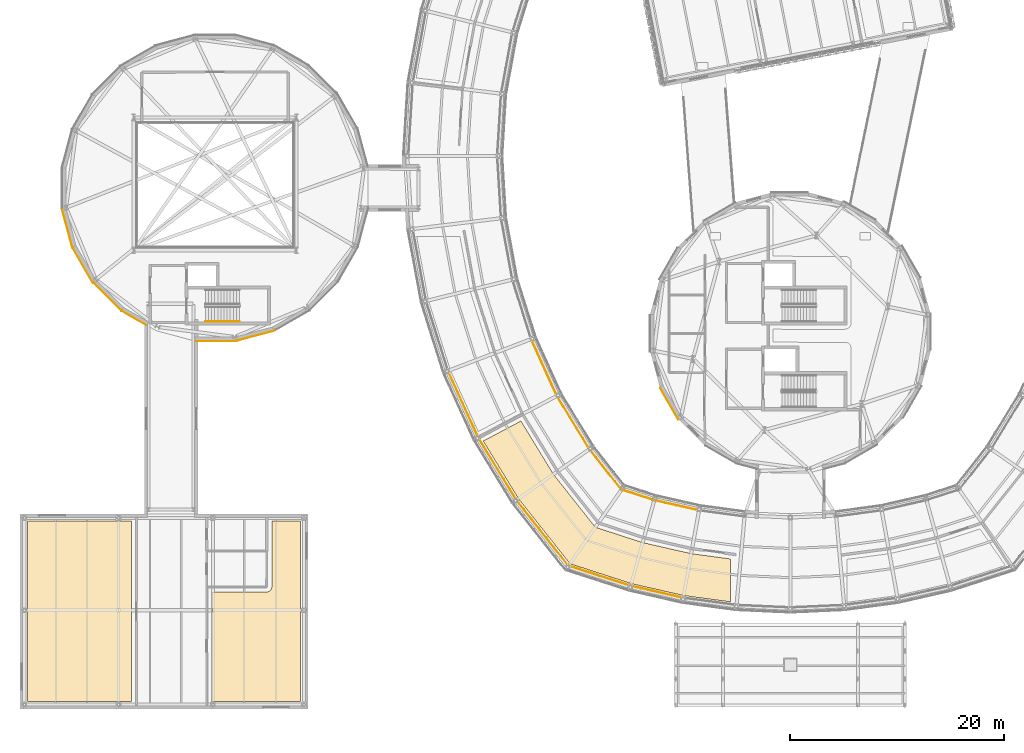
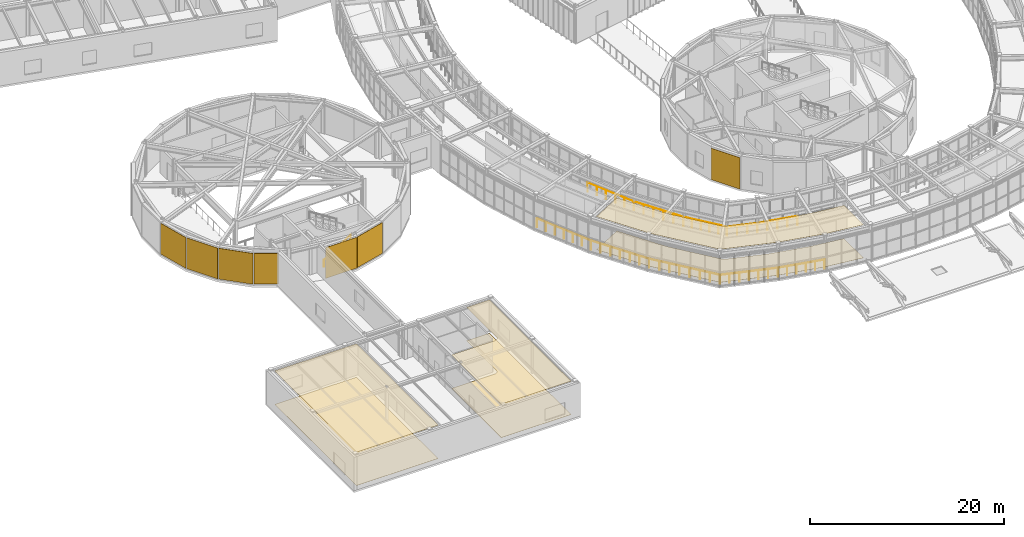
# One storey, part 89 of 103: 13 coverings, 11 railings.
"""IFC4 building model written with IfcOpenShell, lengths in metres."""

from ifc_helpers import new_model, si_unit, direction, frame, origin, origin_2d, place, context, subcontext, project, spatial, polyline, rectangle, circle, outline, extrude, material, layer, layer_set, type_object, element, save


model = new_model("IFC4")

# Units and contexts
model_context = context("Model", 3, precision=1e-05, world=origin(), true_north=direction((0.0, 1.0)))
body_context = subcontext(model_context, "Body", "Model", "MODEL_VIEW")
ifc_project = project(units=[si_unit("LENGTHUNIT", "METRE"), si_unit("AREAUNIT", "SQUARE_METRE"), si_unit("VOLUMEUNIT", "CUBIC_METRE"), si_unit("PLANEANGLEUNIT", "RADIAN"), si_unit("MASSUNIT", "GRAM", prefix="KILO")], contexts=[model_context])

# Site, building, storey
site_placement = place(None, origin())
site = spatial("IfcSite", under=ifc_project, at=site_placement, CompositionType="ELEMENT")
building_placement = place(site_placement, origin())
building = spatial("IfcBuilding", under=site, at=building_placement, Name="Varnklinge Art Gallery", CompositionType="ELEMENT")
storey_placement = place(building_placement, frame((0.0, 0.0, 5.10009765625)))
storey = spatial("IfcBuildingStorey", under=building, at=storey_placement, Name="L01", CompositionType="ELEMENT", Elevation=5.10009765625)

# Railings
ifc_material_1 = material(Name="Anodised Aluminium", Category="aluminium")
railing_type_1 = type_object("IfcRailingType", Name="BAL-01", PredefinedType="BALUSTRADE", material=ifc_material_1)
railing_1_placement = place(storey_placement, frame((43.55712890625, 34.9423828125, 0.0)))
element("IfcRailing", 1, at=railing_1_placement, inside=storey, type_object=railing_type_1, Name="L01 Ring Outer Glazing Guard 30", PredefinedType="BALUSTRADE", context=body_context, shape_type="SweptSolid", body=[
    extrude(circle(Radius=0.02392578125, at=origin_2d()), frame((0.0, 0.0, 1.11572265625), z_axis=(0.413412552712, -0.910543827205, 0.0), x_axis=(0.910543827205, 0.413412552712, 0.0)), (0.0, 0.0, 1.0), 6.832763671875),
    extrude(circle(Radius=0.02099609375, at=origin_2d()), origin(), (0.0, 0.0, 1.0), 1.091796875),
    extrude(circle(Radius=0.02099609375, at=origin_2d()), frame((0.470703125, -1.036865234375, 0.0)), (0.0, 0.0, 1.0), 1.091796875),
    extrude(circle(Radius=0.02099609375, at=origin_2d()), frame((0.941650390625, -2.07373046875, 0.0)), (0.0, 0.0, 1.0), 1.091796875),
    extrude(circle(Radius=0.02099609375, at=origin_2d()), frame((1.412353515625, -3.11083984375, 0.0)), (0.0, 0.0, 1.0), 1.091796875),
    extrude(circle(Radius=0.02099609375, at=origin_2d()), frame((1.883056640625, -4.147705078125, 0.0)), (0.0, 0.0, 1.0), 1.091796875),
    extrude(circle(Radius=0.02099609375, at=origin_2d()), frame((2.35400390625, -5.1845703125, 0.0)), (0.0, 0.0, 1.0), 1.091796875),
    extrude(circle(Radius=0.02099609375, at=origin_2d()), frame((2.82470703125, -6.221435546875, 0.0)), (0.0, 0.0, 1.0), 1.091796875),
])
railing_2_placement = place(storey_placement, frame((51.30517578125, 37.90576171875, 0.0)))
element("IfcRailing", 2, at=railing_2_placement, inside=storey, type_object=railing_type_1, Name="L01 Ring Inner Glazing Guard 30", PredefinedType="BALUSTRADE", context=body_context, shape_type="SweptSolid", body=[
    extrude(circle(Radius=0.02392578125, at=origin_2d()), frame((0.0, 0.0, 1.11572265625), z_axis=(0.413392255251, -0.910553042551, 0.0), x_axis=(0.910553042551, 0.413392255251, 0.0)), (0.0, 0.0, 1.0), 5.822998046875),
    extrude(circle(Radius=0.02099609375, at=origin_2d()), origin(), (0.0, 0.0, 1.0), 1.091796875),
    extrude(circle(Radius=0.02099609375, at=origin_2d()), frame((0.4814453125, -1.060546875, 0.0)), (0.0, 0.0, 1.0), 1.091796875),
    extrude(circle(Radius=0.02099609375, at=origin_2d()), frame((0.962890625, -2.120849609375, 0.0)), (0.0, 0.0, 1.0), 1.091796875),
    extrude(circle(Radius=0.02099609375, at=origin_2d()), frame((1.4443359375, -3.181396484375, 0.0)), (0.0, 0.0, 1.0), 1.091796875),
    extrude(circle(Radius=0.02099609375, at=origin_2d()), frame((1.92578125, -4.24169921875, 0.0)), (0.0, 0.0, 1.0), 1.091796875),
    extrude(circle(Radius=0.02099609375, at=origin_2d()), frame((2.4072265625, -5.30224609375, 0.0)), (0.0, 0.0, 1.0), 1.091796875),
])
railing_3_placement = place(storey_placement, frame((46.3818359375, 28.720947265625, 0.0)))
element("IfcRailing", 3, at=railing_3_placement, inside=storey, type_object=railing_type_1, Name="L01 Ring Outer Glazing Guard 31", PredefinedType="BALUSTRADE", context=body_context, shape_type="SweptSolid", body=[
    extrude(circle(Radius=0.02392578125, at=origin_2d()), frame((0.0, 0.0, 1.11572265625), z_axis=(0.520933930846, -0.853597000753, 0.0), x_axis=(0.853597000753, 0.520933930846, 0.0)), (0.0, 0.0, 1.0), 6.83251953125),
    extrude(circle(Radius=0.02099609375, at=origin_2d()), origin(), (0.0, 0.0, 1.0), 1.091796875),
    extrude(circle(Radius=0.02099609375, at=origin_2d()), frame((0.59326171875, -0.97216796875, 0.0)), (0.0, 0.0, 1.0), 1.091796875),
    extrude(circle(Radius=0.02099609375, at=origin_2d()), frame((1.1865234375, -1.944091796875, 0.0)), (0.0, 0.0, 1.0), 1.091796875),
    extrude(circle(Radius=0.02099609375, at=origin_2d()), frame((1.77978515625, -2.916015625, 0.0)), (0.0, 0.0, 1.0), 1.091796875),
    extrude(circle(Radius=0.02099609375, at=origin_2d()), frame((2.372802734375, -3.88818359375, 0.0)), (0.0, 0.0, 1.0), 1.091796875),
    extrude(circle(Radius=0.02099609375, at=origin_2d()), frame((2.966064453125, -4.8603515625, 0.0)), (0.0, 0.0, 1.0), 1.091796875),
    extrude(circle(Radius=0.02099609375, at=origin_2d()), frame((3.559326171875, -5.832275390625, 0.0)), (0.0, 0.0, 1.0), 1.091796875),
])
railing_4_placement = place(storey_placement, frame((53.71240234375, 32.603515625, 0.0)))
element("IfcRailing", 4, at=railing_4_placement, inside=storey, type_object=railing_type_1, Name="L01 Ring Inner Glazing Guard 31", PredefinedType="BALUSTRADE", context=body_context, shape_type="SweptSolid", body=[
    extrude(circle(Radius=0.02392578125, at=origin_2d()), frame((0.0, 0.0, 1.11572265625), z_axis=(0.520954740627, -0.853584300593, 0.0), x_axis=(0.853584300593, 0.520954740627, 0.0)), (0.0, 0.0, 1.0), 5.8232421875),
    extrude(circle(Radius=0.02099609375, at=origin_2d()), origin(), (0.0, 0.0, 1.0), 1.091796875),
    extrude(circle(Radius=0.02099609375, at=origin_2d()), frame((0.606689453125, -0.994140625, 0.0)), (0.0, 0.0, 1.0), 1.091796875),
    extrude(circle(Radius=0.02099609375, at=origin_2d()), frame((1.21337890625, -1.98828125, 0.0)), (0.0, 0.0, 1.0), 1.091796875),
    extrude(circle(Radius=0.02099609375, at=origin_2d()), frame((1.8203125, -2.982421875, 0.0)), (0.0, 0.0, 1.0), 1.091796875),
    extrude(circle(Radius=0.02099609375, at=origin_2d()), frame((2.427001953125, -3.9765625, 0.0)), (0.0, 0.0, 1.0), 1.091796875),
    extrude(circle(Radius=0.02099609375, at=origin_2d()), frame((3.03369140625, -4.970703125, 0.0)), (0.0, 0.0, 1.0), 1.091796875),
])
railing_5_placement = place(storey_placement, frame((49.941162109375, 22.888671875, 0.0)))
element("IfcRailing", 5, at=railing_5_placement, inside=storey, type_object=railing_type_1, Name="L01 Ring Outer Glazing Guard 32", PredefinedType="BALUSTRADE", context=body_context, shape_type="SweptSolid", body=[
    extrude(circle(Radius=0.02392578125, at=origin_2d()), frame((0.0, 0.0, 1.11572265625), z_axis=(0.620768404491, -0.783993997417, 0.0), x_axis=(0.783993997417, 0.620768404491, 0.0)), (0.0, 0.0, 1.0), 7.8330078125),
    extrude(circle(Radius=0.02099609375, at=origin_2d()), origin(), (0.0, 0.0, 1.0), 1.091796875),
    extrude(circle(Radius=0.02099609375, at=origin_2d()), frame((0.694580078125, -0.877197265625, 0.0)), (0.0, 0.0, 1.0), 1.091796875),
    extrude(circle(Radius=0.02099609375, at=origin_2d()), frame((1.389404296875, -1.754638671875, 0.0)), (0.0, 0.0, 1.0), 1.091796875),
    extrude(circle(Radius=0.02099609375, at=origin_2d()), frame((2.083984375, -2.6318359375, 0.0)), (0.0, 0.0, 1.0), 1.091796875),
    extrude(circle(Radius=0.02099609375, at=origin_2d()), frame((2.778564453125, -3.50927734375, 0.0)), (0.0, 0.0, 1.0), 1.091796875),
    extrude(circle(Radius=0.02099609375, at=origin_2d()), frame((3.47314453125, -4.386474609375, 0.0)), (0.0, 0.0, 1.0), 1.091796875),
    extrude(circle(Radius=0.02099609375, at=origin_2d()), frame((4.16796875, -5.263916015625, 0.0)), (0.0, 0.0, 1.0), 1.091796875),
    extrude(circle(Radius=0.02099609375, at=origin_2d()), frame((4.862548828125, -6.14111328125, 0.0)), (0.0, 0.0, 1.0), 1.091796875),
])
railing_6_placement = place(storey_placement, frame((56.74609375, 27.6328125, 0.0)))
element("IfcRailing", 6, at=railing_6_placement, inside=storey, type_object=railing_type_1, Name="L01 Ring Inner Glazing Guard 32", PredefinedType="BALUSTRADE", context=body_context, shape_type="SweptSolid", body=[
    extrude(circle(Radius=0.02392578125, at=origin_2d()), frame((0.0, 0.0, 1.11572265625), z_axis=(0.620748326403, -0.784009894879, 0.0), x_axis=(0.784009894879, 0.620748326403, 0.0)), (0.0, 0.0, 1.0), 4.82275390625),
    extrude(circle(Radius=0.02099609375, at=origin_2d()), origin(), (0.0, 0.0, 1.0), 1.091796875),
    extrude(circle(Radius=0.02099609375, at=origin_2d()), frame((0.5986328125, -0.756103515625, 0.0)), (0.0, 0.0, 1.0), 1.091796875),
    extrude(circle(Radius=0.02099609375, at=origin_2d()), frame((1.197509765625, -1.512451171875, 0.0)), (0.0, 0.0, 1.0), 1.091796875),
    extrude(circle(Radius=0.02099609375, at=origin_2d()), frame((1.796142578125, -2.2685546875, 0.0)), (0.0, 0.0, 1.0), 1.091796875),
    extrude(circle(Radius=0.02099609375, at=origin_2d()), frame((2.39501953125, -3.02490234375, 0.0)), (0.0, 0.0, 1.0), 1.091796875),
    extrude(circle(Radius=0.02099609375, at=origin_2d()), frame((2.99365234375, -3.781005859375, 0.0)), (0.0, 0.0, 1.0), 1.091796875),
])
railing_7_placement = place(storey_placement, frame((54.8037109375, 16.74755859375, 0.0)))
element("IfcRailing", 7, at=railing_7_placement, inside=storey, type_object=railing_type_1, Name="L01 Ring Outer Glazing Guard 33", PredefinedType="BALUSTRADE", context=body_context, shape_type="SweptSolid", body=[
    extrude(circle(Radius=0.02392578125, at=origin_2d()), frame((0.0, 0.0, 1.11572265625), z_axis=(0.951286996802, -0.308306746141, 0.0), x_axis=(0.308306746141, 0.951286996802, 0.0)), (0.0, 0.0, 1.0), 6.0927734375),
    extrude(circle(Radius=0.02099609375, at=origin_2d()), origin(), (0.0, 0.0, 1.0), 1.091796875),
    extrude(circle(Radius=0.02099609375, at=origin_2d()), frame((0.966064453125, -0.31298828125, 0.0)), (0.0, 0.0, 1.0), 1.091796875),
    extrude(circle(Radius=0.02099609375, at=origin_2d()), frame((1.931884765625, -0.626220703125, 0.0)), (0.0, 0.0, 1.0), 1.091796875),
    extrude(circle(Radius=0.02099609375, at=origin_2d()), frame((2.89794921875, -0.939208984375, 0.0)), (0.0, 0.0, 1.0), 1.091796875),
    extrude(circle(Radius=0.02099609375, at=origin_2d()), frame((3.864013671875, -1.252197265625, 0.0)), (0.0, 0.0, 1.0), 1.091796875),
    extrude(circle(Radius=0.02099609375, at=origin_2d()), frame((4.829833984375, -1.5654296875, 0.0)), (0.0, 0.0, 1.0), 1.091796875),
    extrude(circle(Radius=0.02099609375, at=origin_2d()), frame((5.7958984375, -1.87841796875, 0.0)), (0.0, 0.0, 1.0), 1.091796875),
])
railing_8_placement = place(storey_placement, frame((59.73974609375, 23.851806640625, 0.0)))
element("IfcRailing", 8, at=railing_8_placement, inside=storey, type_object=railing_type_1, Name="L01 Ring Inner Glazing Guard 33", PredefinedType="BALUSTRADE", context=body_context, shape_type="SweptSolid", body=[
    extrude(circle(Radius=0.02392578125, at=origin_2d()), frame((0.0, 0.0, 1.11572265625), z_axis=(0.951299251232, -0.308268932274, 0.0), x_axis=(0.308268932274, 0.951299251232, 0.0)), (0.0, 0.0, 1.0), 3.21630859375),
    extrude(circle(Radius=0.02099609375, at=origin_2d()), origin(), (0.0, 0.0, 1.0), 1.091796875),
    extrude(circle(Radius=0.02099609375, at=origin_2d()), frame((1.019775390625, -0.33056640625, 0.0)), (0.0, 0.0, 1.0), 1.091796875),
    extrude(circle(Radius=0.02099609375, at=origin_2d()), frame((2.039794921875, -0.660888671875, 0.0)), (0.0, 0.0, 1.0), 1.091796875),
    extrude(circle(Radius=0.02099609375, at=origin_2d()), frame((3.0595703125, -0.991455078125, 0.0)), (0.0, 0.0, 1.0), 1.091796875),
])
railing_9_placement = place(storey_placement, frame((60.599609375, 14.869140625, 0.0)))
element("IfcRailing", 9, at=railing_9_placement, inside=storey, type_object=railing_type_1, Name="L01 Ring Outer Glazing Guard 34", PredefinedType="BALUSTRADE", context=body_context, shape_type="SweptSolid", body=[
    extrude(circle(Radius=0.02392578125, at=origin_2d()), frame((0.0, 0.0, 1.11572265625), z_axis=(0.975052616387, -0.221973861698, 0.0), x_axis=(0.221973861698, 0.975052616387, 0.0)), (0.0, 0.0, 1.0), 5.025390625),
    extrude(circle(Radius=0.02099609375, at=origin_2d()), origin(), (0.0, 0.0, 1.0), 1.091796875),
    extrude(circle(Radius=0.02099609375, at=origin_2d()), frame((0.97998046875, -0.22314453125, 0.0)), (0.0, 0.0, 1.0), 1.091796875),
    extrude(circle(Radius=0.02099609375, at=origin_2d()), frame((1.9599609375, -0.4462890625, 0.0)), (0.0, 0.0, 1.0), 1.091796875),
    extrude(circle(Radius=0.02099609375, at=origin_2d()), frame((2.93994140625, -0.669189453125, 0.0)), (0.0, 0.0, 1.0), 1.091796875),
    extrude(circle(Radius=0.02099609375, at=origin_2d()), frame((3.919921875, -0.892333984375, 0.0)), (0.0, 0.0, 1.0), 1.091796875),
    extrude(circle(Radius=0.02099609375, at=origin_2d()), frame((4.89990234375, -1.115478515625, 0.0)), (0.0, 0.0, 1.0), 1.091796875),
])
railing_10_placement = place(storey_placement, frame((62.79931640625, 22.8603515625, 0.0)))
element("IfcRailing", 10, at=railing_10_placement, inside=storey, type_object=railing_type_1, Name="L01 Ring Inner Glazing Guard 34", PredefinedType="BALUSTRADE", context=body_context, shape_type="SweptSolid", body=[
    extrude(circle(Radius=0.02392578125, at=origin_2d()), frame((0.0, 0.0, 1.11572265625), z_axis=(0.975045997927, -0.222002932246, 0.0), x_axis=(0.222002932246, 0.975045997927, 0.0)), (0.0, 0.0, 1.0), 4.283447265625),
    extrude(circle(Radius=0.02099609375, at=origin_2d()), origin(), (0.0, 0.0, 1.0), 1.091796875),
    extrude(circle(Radius=0.02099609375, at=origin_2d()), frame((1.044189453125, -0.23779296875, 0.0)), (0.0, 0.0, 1.0), 1.091796875),
    extrude(circle(Radius=0.02099609375, at=origin_2d()), frame((2.08837890625, -0.4755859375, 0.0)), (0.0, 0.0, 1.0), 1.091796875),
    extrude(circle(Radius=0.02099609375, at=origin_2d()), frame((3.13232421875, -0.713134765625, 0.0)), (0.0, 0.0, 1.0), 1.091796875),
    extrude(circle(Radius=0.02099609375, at=origin_2d()), frame((4.176513671875, -0.950927734375, 0.0)), (0.0, 0.0, 1.0), 1.091796875),
])

# Coverings
ifc_material_2 = material(Name="Oxide Terracotta Panel", Category="masonry")
ifc_layer_1 = layer(ifc_material_2, 0.034912109375)
ifc_layer_set_1 = layer_set([ifc_layer_1], Name="Oxide Terracotta Panel")
covering_type_1 = type_object("IfcCoveringType", Name="CLD-TER", PredefinedType="CLADDING", material=ifc_layer_set_1)
covering_1_placement = place(storey_placement, frame((25.586669921875, 38.216064453125, 0.14990234375), z_axis=(0.0, 0.0, 1.0), x_axis=(-0.965925826289, -0.258819045103, 0.0)))
element("IfcCovering", 11, at=covering_1_placement, inside=storey, type_object=covering_type_1, Name="L01 Oxide Terracotta Drum Cladding EW-V3-L01-05", PredefinedType="CLADDING", context=body_context, shape_type="SweptSolid", body=[
    extrude(rectangle(XDim=3.691650390625, YDim=0.034912109375, at=origin_2d()), origin(), (0.0, 0.0, 1.0), 3.8701171875),
])
covering_2_placement = place(storey_placement, frame((21.889892578125, 37.705810546875, 0.14990234375), z_axis=(0.0, 0.0, 1.0), x_axis=(-1.0, 0.0, 0.0)))
element("IfcCovering", 12, at=covering_2_placement, inside=storey, type_object=covering_type_1, Name="L01 Oxide Terracotta Drum Cladding EW-V3-L01-06", PredefinedType="CLADDING", context=body_context, shape_type="SweptSolid", body=[
    extrude(rectangle(XDim=3.69189453125, YDim=0.034912109375, at=origin_2d()), origin(), (0.0, 0.0, 1.0), 3.8701171875),
])
covering_3_placement = place(storey_placement, frame((14.2333984375, 39.86279296875, 0.14990234375), z_axis=(0.0, 0.0, 1.0), x_axis=(-0.866025403784, 0.5, 0.0)))
element("IfcCovering", 13, at=covering_3_placement, inside=storey, type_object=covering_type_1, Name="L01 Oxide Terracotta Drum Cladding EW-V3-L01-07", PredefinedType="CLADDING", context=body_context, shape_type="SweptSolid", body=[
    extrude(rectangle(XDim=2.543212890625, YDim=0.034912109375, at=origin_2d()), origin(), (0.0, 0.0, 1.0), 3.8701171875),
])
covering_4_placement = place(storey_placement, frame((11.756103515625, 41.82861328125, 0.14990234375), z_axis=(0.0, 0.0, 1.0), x_axis=(-0.707106781187, 0.707106781187, 0.0)))
element("IfcCovering", 14, at=covering_4_placement, inside=storey, type_object=covering_type_1, Name="L01 Oxide Terracotta Drum Cladding EW-V3-L01-08", PredefinedType="CLADDING", context=body_context, shape_type="SweptSolid", body=[
    extrude(rectangle(XDim=3.691650390625, YDim=0.034912109375, at=origin_2d()), origin(), (0.0, 0.0, 1.0), 3.8701171875),
])
covering_5_placement = place(storey_placement, frame((9.4658203125, 44.77490234375, 0.14990234375), z_axis=(0.0, 0.0, 1.0), x_axis=(-0.5, 0.866025403784, 0.0)))
element("IfcCovering", 15, at=covering_5_placement, inside=storey, type_object=covering_type_1, Name="L01 Oxide Terracotta Drum Cladding EW-V3-L01-09", PredefinedType="CLADDING", context=body_context, shape_type="SweptSolid", body=[
    extrude(rectangle(XDim=3.69189453125, YDim=0.034912109375, at=origin_2d()), origin(), (0.0, 0.0, 1.0), 3.8701171875),
])
covering_6_placement = place(storey_placement, frame((8.01611328125, 48.21337890625, 0.14990234375), z_axis=(0.0, 0.0, 1.0), x_axis=(-0.258819045103, 0.965925826289, 0.0)))
element("IfcCovering", 16, at=covering_6_placement, inside=storey, type_object=covering_type_1, Name="L01 Oxide Terracotta Drum Cladding EW-V3-L01-10", PredefinedType="CLADDING", context=body_context, shape_type="SweptSolid", body=[
    extrude(rectangle(XDim=3.691650390625, YDim=0.034912109375, at=origin_2d()), origin(), (0.0, 0.0, 1.0), 3.8701171875),
])
ifc_material_3 = material(Name="Pre-weathered Zinc", Category="metal")
ifc_layer_2 = layer(ifc_material_3, 0.02490234375)
ifc_layer_set_2 = layer_set([ifc_layer_2], Name="Pre-weathered Zinc")
covering_type_2 = type_object("IfcCoveringType", Name="CLD-ZNC", PredefinedType="CLADDING", material=ifc_layer_set_2)
covering_7_placement = place(storey_placement, frame((64.197998046875, 31.876708984375, 0.041015625), z_axis=(0.0, 0.0, 1.0), x_axis=(-0.5, 0.866025403784, 0.0)))
element("IfcCovering", 17, at=covering_7_placement, inside=storey, type_object=covering_type_2, Name="L01 Brushed Zinc Drum Cladding EW-V4D-L01-10", PredefinedType="CLADDING", context=body_context, shape_type="SweptSolid", body=[
    extrude(rectangle(XDim=3.39111328125, YDim=0.02490234375, at=origin_2d()), origin(), (0.0, 0.0, 1.0), 3.949951171875),
])
ifc_material_4 = material(Name="Acoustic Mineral Tile", Category="mineral")
ifc_layer_3 = layer(ifc_material_4, 0.02490234375)
ifc_layer_set_3 = layer_set([ifc_layer_3], Name="Acoustic Mineral Tile")
covering_type_3 = type_object("IfcCoveringType", Name="CLG-AC", PredefinedType="CEILING", material=ifc_layer_set_3)
covering_8_placement = place(storey_placement, frame((0.0, 0.0, 4.15478515625)))
element("IfcCovering", 18, at=covering_8_placement, inside=storey, type_object=covering_type_3, Name="L01 Acoustic Mineral Ceiling 023", PredefinedType="CEILING", context=body_context, shape_type="SweptSolid", body=[
    extrude(outline(polyline([(54.934814453125, 16.936279296875), (60.657958984375, 15.08154296875), (65.538818359375, 13.970458984375), (69.89990234375, 13.381103515625), (69.89990234375, 17.38916015625), (66.26904296875, 17.8798828125), (66.22509765625, 17.8876953125), (61.735107421875, 18.909912109375), (61.69189453125, 18.921875), (57.44677734375, 20.297607421875), (57.40087890625, 20.31494140625), (57.35693359375, 20.336669921875), (57.3154296875, 20.362548828125), (57.276611328125, 20.392578125), (57.240966796875, 20.426025390625), (57.208740234375, 20.462890625), (53.4052734375, 25.2666015625), (53.370361328125, 25.31640625), (50.35400390625, 30.259033203125), (46.83740234375, 28.396484375), (50.121826171875, 23.0146484375), (54.934814453125, 16.936279296875)])), origin(), (0.0, 0.0, 1.0), 0.025146484375),
])
covering_9_placement = place(storey_placement, frame((0.0, 0.0, 4.19482421875)))
element("IfcCovering", 19, at=covering_9_placement, inside=storey, type_object=covering_type_3, Name="L01 Acoustic Mineral Ceiling 030", PredefinedType="CEILING", context=body_context, shape_type="SweptSolid", body=[
    extrude(outline(polyline([(14.0, 20.919921875), (4.300048828125, 20.919921875), (4.300048828125, 4.080078125), (14.0, 4.080078125), (14.0, 20.919921875)])), origin(), (0.0, 0.0, 1.0), 0.025146484375),
])
covering_10_placement = place(storey_placement, frame((0.0, 0.0, 4.19482421875)))
element("IfcCovering", 20, at=covering_10_placement, inside=storey, type_object=covering_type_3, Name="L01 Acoustic Mineral Ceiling 031", PredefinedType="CEILING", context=body_context, shape_type="SweptSolid", body=[
    extrude(outline(polyline([(21.5, 14.300048828125), (21.5, 4.080078125), (29.800048828125, 4.080078125), (29.800048828125, 20.919921875), (27.10009765625, 20.919921875), (27.10009765625, 14.800048828125), (27.09765625, 14.7509765625), (27.09033203125, 14.702392578125), (27.07861328125, 14.65478515625), (27.06201171875, 14.608642578125), (27.041015625, 14.564208984375), (27.015625, 14.522216796875), (26.986572265625, 14.48291015625), (26.95361328125, 14.4462890625), (26.917236328125, 14.41357421875), (26.877685546875, 14.38427734375), (26.835693359375, 14.35888671875), (26.791259765625, 14.338134765625), (26.7451171875, 14.321533203125), (26.697509765625, 14.3095703125), (26.64892578125, 14.302490234375), (26.60009765625, 14.300048828125), (21.5, 14.300048828125)])), origin(), (0.0, 0.0, 1.0), 0.025146484375),
])
ifc_material_5 = material(Name="Polished Terrazzo Flooring", Category="stone")
ifc_layer_4 = layer(ifc_material_5, 0.02001953125)
ifc_layer_set_4 = layer_set([ifc_layer_4], Name="Polished Terrazzo Flooring")
covering_type_4 = type_object("IfcCoveringType", Name="FLR-STN", PredefinedType="FLOORING", material=ifc_layer_set_4)
covering_11_placement = place(storey_placement, origin())
element("IfcCovering", 21, at=covering_11_placement, inside=storey, type_object=covering_type_4, Name="L01 Gallery Terrazzo Flooring 023", PredefinedType="FLOORING", context=body_context, shape_type="SweptSolid", body=[
    extrude(outline(polyline([(54.934814453125, 16.936279296875), (60.657958984375, 15.08154296875), (65.538818359375, 13.970458984375), (69.89990234375, 13.381103515625), (69.89990234375, 17.38916015625), (66.26904296875, 17.8798828125), (66.22509765625, 17.8876953125), (61.735107421875, 18.909912109375), (61.69189453125, 18.921875), (57.44677734375, 20.297607421875), (57.40087890625, 20.31494140625), (57.35693359375, 20.336669921875), (57.3154296875, 20.362548828125), (57.276611328125, 20.392578125), (57.240966796875, 20.426025390625), (57.208740234375, 20.462890625), (53.4052734375, 25.2666015625), (53.370361328125, 25.31640625), (50.35400390625, 30.259033203125), (46.83740234375, 28.396484375), (50.121826171875, 23.0146484375), (54.934814453125, 16.936279296875)])), origin(), (0.0, 0.0, 1.0), 0.02001953125),
])
covering_12_placement = place(storey_placement, origin())
element("IfcCovering", 22, at=covering_12_placement, inside=storey, type_object=covering_type_4, Name="L01 Gallery Terrazzo Flooring 030", PredefinedType="FLOORING", context=body_context, shape_type="SweptSolid", body=[
    extrude(outline(polyline([(14.0, 20.919921875), (4.300048828125, 20.919921875), (4.300048828125, 4.080078125), (14.0, 4.080078125), (14.0, 20.919921875)])), origin(), (0.0, 0.0, 1.0), 0.02001953125),
])
covering_13_placement = place(storey_placement, origin())
element("IfcCovering", 23, at=covering_13_placement, inside=storey, type_object=covering_type_4, Name="L01 Gallery Terrazzo Flooring 031", PredefinedType="FLOORING", context=body_context, shape_type="SweptSolid", body=[
    extrude(outline(polyline([(21.5, 14.300048828125), (21.5, 4.080078125), (29.800048828125, 4.080078125), (29.800048828125, 20.919921875), (27.10009765625, 20.919921875), (27.10009765625, 14.800048828125), (27.09765625, 14.7509765625), (27.09033203125, 14.702392578125), (27.07861328125, 14.65478515625), (27.06201171875, 14.608642578125), (27.041015625, 14.564208984375), (27.015625, 14.522216796875), (26.986572265625, 14.48291015625), (26.95361328125, 14.4462890625), (26.917236328125, 14.41357421875), (26.877685546875, 14.38427734375), (26.835693359375, 14.35888671875), (26.791259765625, 14.338134765625), (26.7451171875, 14.321533203125), (26.697509765625, 14.3095703125), (26.64892578125, 14.302490234375), (26.60009765625, 14.300048828125), (21.5, 14.300048828125)])), origin(), (0.0, 0.0, 1.0), 0.02001953125),
])

# Railing
ifc_material_6 = material(Name="Steel S355", Category="steel")
railing_type_2 = type_object("IfcRailingType", Name="HR-01", PredefinedType="HANDRAIL", material=ifc_material_6)
railing_11_placement = place(storey_placement, frame((20.89990234375, 39.550048828125, 0.18408203125)))
element("IfcRailing", 24, at=railing_11_placement, inside=storey, type_object=railing_type_2, Name="L01 ST-06 stair handrail 1", PredefinedType="HANDRAIL", context=body_context, shape_type="SweptSolid", body=[
    extrude(circle(Radius=0.02392578125, at=origin_2d()), frame((0.0, 0.0, 0.8759765625), z_axis=(0.844169194605, 0.0, 0.536076833001), x_axis=(0.0, 1.0, 0.0)), (0.0, 0.0, 1.0), 3.779052734375),
    extrude(circle(Radius=0.02099609375, at=origin_2d()), origin(), (0.0, 0.0, 1.0), 0.851806640625),
    extrude(circle(Radius=0.02099609375, at=origin_2d()), frame((0.797607421875, 0.0, 0.50634765625)), (0.0, 0.0, 1.0), 0.851806640625),
    extrude(circle(Radius=0.02099609375, at=origin_2d()), frame((1.59521484375, 0.0, 1.012939453125)), (0.0, 0.0, 1.0), 0.851806640625),
    extrude(circle(Radius=0.02099609375, at=origin_2d()), frame((2.392578125, 0.0, 1.51953125)), (0.0, 0.0, 1.0), 0.851806640625),
    extrude(circle(Radius=0.02099609375, at=origin_2d()), frame((3.190185546875, 0.0, 2.02587890625)), (0.0, 0.0, 1.0), 0.851806640625),
])

save(model, "model.ifc")
